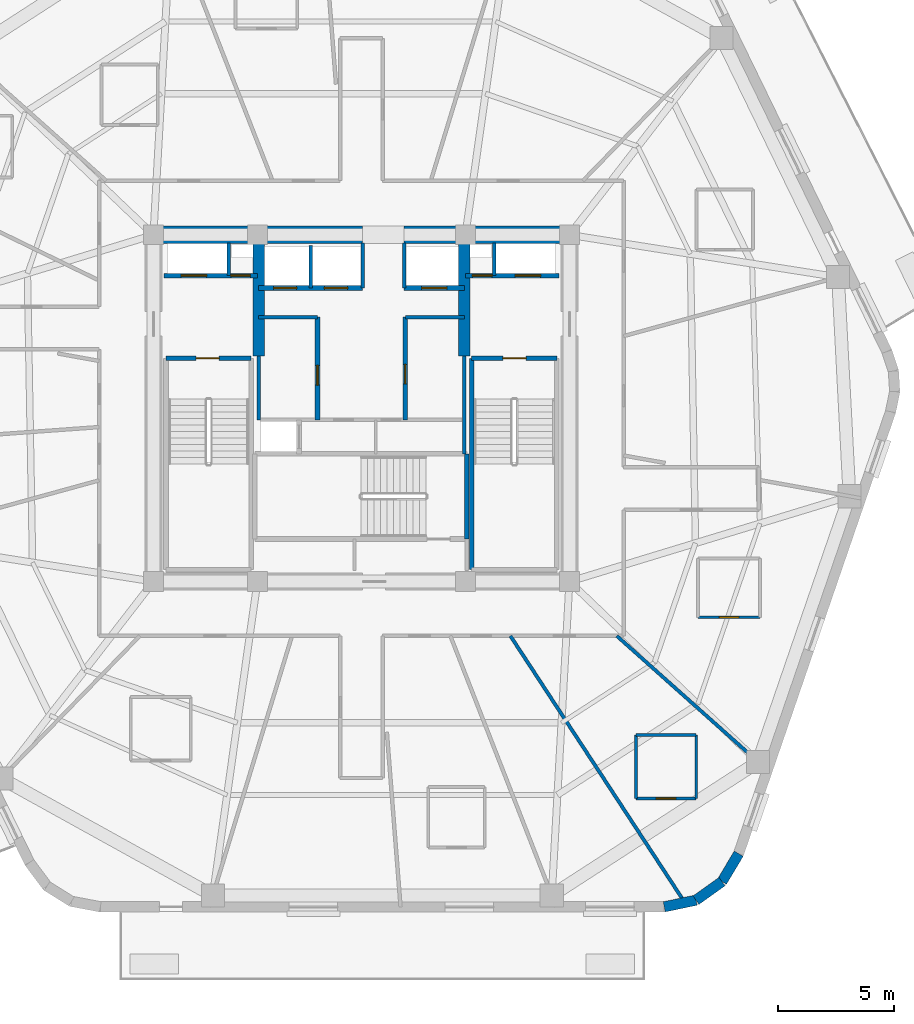
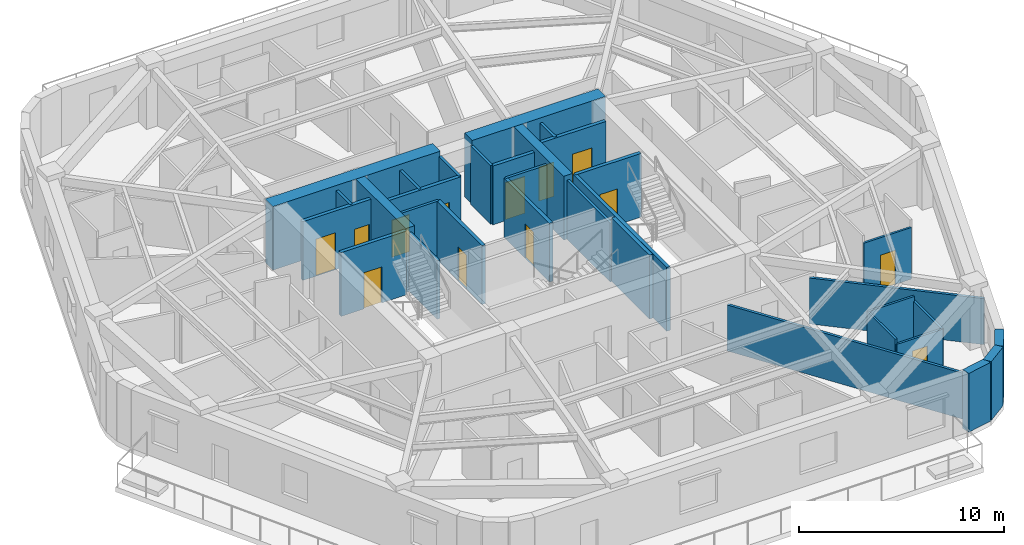
# One storey, part 4 of 10: 33 walls, 13 doors, 13 openings.
"""IFC4 building model written with IfcOpenShell, lengths in metres."""

from ifc_helpers import new_model, si_unit, direction, frame, frame_2d, origin, place, context, subcontext, project, spatial, rectangle, extrude, material, layer, layer_set, type_object, element, fill, save


model = new_model("IFC4")

# Units and contexts
model_context = context("Model", 3, precision=1e-05, world=origin(), true_north=direction((0.0, 1.0)))
body_context = subcontext(model_context, "Body", "Model", "MODEL_VIEW")
ifc_project = project(units=[si_unit("LENGTHUNIT", "METRE"), si_unit("AREAUNIT", "SQUARE_METRE"), si_unit("VOLUMEUNIT", "CUBIC_METRE"), si_unit("PLANEANGLEUNIT", "RADIAN"), si_unit("MASSUNIT", "GRAM", prefix="KILO")], contexts=[model_context])

# Site, building, storey
site_placement = place(None, origin())
site = spatial("IfcSite", under=ifc_project, at=site_placement, CompositionType="ELEMENT")
building_placement = place(site_placement, origin())
building = spatial("IfcBuilding", under=site, at=building_placement, Name="Kilnhurst Terrace Hotel", CompositionType="ELEMENT")
storey_placement = place(building_placement, frame((0.0, 0.0, 214.10009765625)))
storey = spatial("IfcBuildingStorey", under=building, at=storey_placement, Name="L53", CompositionType="ELEMENT", Elevation=214.10009765625)

# Walls
ifc_material_1 = material(Name="Precast concrete C40/50", Category="concrete")
ifc_layer_1 = layer(ifc_material_1, 0.449951171875, Name="Precast concrete C40/50")
ifc_layer_set_1 = layer_set([ifc_layer_1], Name="Precast concrete C40/50")
wall_type_1 = type_object("IfcWallType", Name="WL-BRK-450", PredefinedType="SOLIDWALL", material=ifc_layer_set_1)
wall_1_placement = place(storey_placement, frame((13.1015625, -21.574951171875, 0.0), z_axis=(0.0, 0.0, 1.0), x_axis=(0.978757421505, 0.205021730188, 0.0)))
element("IfcWall", 1, at=wall_1_placement, inside=storey, type_object=wall_type_1, Name="L53 Rounded Corner Brick Wall C2.1", PredefinedType="SOLIDWALL", context=body_context, shape_type="SweptSolid", body=[
    extrude(rectangle(XDim=1.40625, YDim=0.449951171875, at=frame_2d((0.703125, 0.0))), origin(), (0.0, 0.0, 1.0), 3.5),
])
wall_2_placement = place(storey_placement, frame((14.47802734375, -21.28662109375, 0.0), z_axis=(0.0, 0.0, 1.0), x_axis=(0.813888518617, 0.58102106611, 0.0)))
element("IfcWall", 2, at=wall_2_placement, inside=storey, type_object=wall_type_1, Name="L53 Rounded Corner Brick Wall C2.2", PredefinedType="SOLIDWALL", context=body_context, shape_type="SweptSolid", body=[
    extrude(rectangle(XDim=1.3828125, YDim=0.449951171875, at=frame_2d((0.69140625, 0.0))), origin(), (0.0, 0.0, 1.0), 3.5),
])
wall_3_placement = place(storey_placement, frame((15.603515625, -20.483154296875, 0.0), z_axis=(0.0, 0.0, 1.0), x_axis=(0.512222149036, 0.858852996756, 0.0)))
element("IfcWall", 3, at=wall_3_placement, inside=storey, type_object=wall_type_1, Name="L53 Rounded Corner Brick Wall C2.3", PredefinedType="SOLIDWALL", context=body_context, shape_type="SweptSolid", body=[
    extrude(rectangle(XDim=1.406494140625, YDim=0.449951171875, at=frame_2d((0.703125, 0.0))), origin(), (0.0, 0.0, 1.0), 3.5),
])
ifc_material_2 = material(Name="Concrete C60/75", Category="concrete")
ifc_layer_2 = layer(ifc_material_2, 0.75, Name="Concrete C60/75")
ifc_layer_set_2 = layer_set([ifc_layer_2], Name="Concrete C60/75")
wall_type_2 = type_object("IfcWallType", Name="WL-CORE-750", PredefinedType="SHEAR", material=ifc_layer_set_2)
wall_4_placement = place(storey_placement, frame((-9.375, 7.5, 0.0), z_axis=(0.0, 0.0, 1.0), x_axis=(1.0, 0.0, 0.0)))
element("IfcWall", 4, at=wall_4_placement, inside=storey, type_object=wall_type_2, Name="L53 Core North West Shear Wall", PredefinedType="SHEAR", context=body_context, shape_type="SweptSolid", body=[
    extrude(rectangle(XDim=9.425048828125, YDim=0.75, at=frame_2d((4.71240234375, 0.0))), origin(), (0.0, 0.0, 1.0), 3.7998046875),
])
wall_5_placement = place(storey_placement, frame((1.85009765625, 7.5, 0.0), z_axis=(0.0, 0.0, 1.0), x_axis=(1.0, 0.0, 0.0)))
element("IfcWall", 5, at=wall_5_placement, inside=storey, type_object=wall_type_2, Name="L53 Core North East Shear Wall", PredefinedType="SHEAR", context=body_context, shape_type="SweptSolid", body=[
    extrude(rectangle(XDim=7.52490234375, YDim=0.75, at=frame_2d((3.762451171875, 0.0))), origin(), (0.0, 0.0, 1.0), 3.7998046875),
])
ifc_layer_3 = layer(ifc_material_2, 0.5, Name="Concrete C60/75")
ifc_layer_set_3 = layer_set([ifc_layer_3], Name="Concrete C60/75")
wall_type_3 = type_object("IfcWallType", Name="WL-CORE-WEB-500", PredefinedType="SHEAR", material=ifc_layer_set_3)
for number, where, z_axis, x_axis, name in (
    (6, (-4.449951171875, 2.25, 0.0), (0.0, 0.0, 1.0), (0.0, 1.0, 0.0), "L53 Core Internal West Shear Web"),
    (7, (4.449951171875, 2.25, 0.0), (0.0, 0.0, 1.0), (0.0, 1.0, 0.0), "L53 Core Internal East Shear Web"),
):
    element("IfcWall", number, at=place(storey_placement, frame(where, z_axis=z_axis, x_axis=x_axis)), inside=storey, type_object=wall_type_3, Name=name, PredefinedType="SHEAR", context=body_context, shape_type="SweptSolid", body=[
        extrude(rectangle(XDim=4.875, YDim=0.5, at=frame_2d((2.4375, 0.0))), origin(), (0.0, 0.0, 1.0), 3.7998046875),
    ])
ifc_material_3 = material(Name="STC-58 Acoustic Twin-Frame Guestroom Demising Partition")
ifc_layer_4 = layer(ifc_material_3, 0.14990234375, Name="STC-58 Acoustic Twin-Frame Guestroom Demising Partition")
ifc_layer_set_4 = layer_set([ifc_layer_4], Name="STC-58 Acoustic Twin-Frame Guestroom Demising Partition")
wall_type_4 = type_object("IfcWallType", Name="WL-DEM-150", PredefinedType="PARTITIONING", material=ifc_layer_set_4)
wall_6_placement = place(storey_placement, frame((6.4443359375, -9.85009765625, 0.0), z_axis=(0.0, 0.0, 1.0), x_axis=(0.547492333129, -0.836810698525, 0.0)))
element("IfcWall", 8, at=wall_6_placement, inside=storey, type_object=wall_type_4, Name="L53 Interior Wall WL-L53-DEM-MID10-15-1", PredefinedType="PARTITIONING", context=body_context, shape_type="SweptSolid", body=[
    extrude(rectangle(XDim=13.6162109375, YDim=0.14990234375, at=frame_2d((6.80810546875, 0.0))), origin(), (0.0, 0.0, 1.0), 2.739990234375),
])
wall_7_placement = place(storey_placement, frame((11.04833984375, -9.85009765625, 0.0), z_axis=(0.0, 0.0, 1.0), x_axis=(0.746444434655, -0.665447748492, 0.0)))
element("IfcWall", 9, at=wall_7_placement, inside=storey, type_object=wall_type_4, Name="L53 Interior Wall WL-L53-DEM-COL11-16-1", PredefinedType="PARTITIONING", context=body_context, shape_type="SweptSolid", body=[
    extrude(rectangle(XDim=8.732177734375, YDim=0.14990234375, at=frame_2d((4.3662109375, 0.0))), origin(), (0.0, 0.0, 1.0), 2.739990234375),
])

# Wall, opening, door
ifc_material_4 = material(Name="120 mm Moisture-Resistant Tile-Backed Bathroom Partition")
ifc_layer_5 = layer(ifc_material_4, 0.1201171875, Name="120 mm Moisture-Resistant Tile-Backed Bathroom Partition")
ifc_layer_set_5 = layer_set([ifc_layer_5], Name="120 mm Moisture-Resistant Tile-Backed Bathroom Partition")
wall_type_5 = type_object("IfcWallType", Name="WL-PART-120", PredefinedType="PARTITIONING", material=ifc_layer_set_5)
wall_8_placement = place(storey_placement, frame((11.884033203125, -16.889892578125, 0.0), z_axis=(0.0, 0.0, 1.0), x_axis=(1.0, 0.0, 0.0)))
wall_8 = element("IfcWall", 10, at=wall_8_placement, inside=storey, type_object=wall_type_5, Name="L53 Interior Wall WL-L53-BTH-15-1", PredefinedType="PARTITIONING", context=body_context, shape_type="SweptSolid", body=[
    extrude(rectangle(XDim=2.599853515625, YDim=0.1201171875, at=frame_2d((1.2998046875, 0.0))), origin(), (0.0, 0.0, 1.0), 2.739990234375),
])
opening_1_placement = place(wall_8_placement, frame((0.875, 0.0, 0.0)))
opening_1 = element("IfcOpeningElement", 11, at=opening_1_placement, cuts=wall_8, Name="Opening D-08A", PredefinedType="OPENING", context=body_context, shape_type="SweptSolid", body=[
    extrude(rectangle(XDim=0.85009765625, YDim=2.030029296875, at=frame_2d((0.425048828125, 1.01513671875))), frame((0.0, 0.070068359375, 0.0), z_axis=(0.0, -1.0, 0.0), x_axis=(1.0, 0.0, 0.0)), (0.0, 0.0, 1.0), 0.14013671875),
])
ifc_material_5 = material(Name="Moisture-Resistant Lacquered En-suite Bathroom Door")
door_type_1 = type_object("IfcDoorType", Name="DR-INT-850", OperationType="NOTDEFINED", PredefinedType="DOOR", material=ifc_material_5)
door_1_placement = place(opening_1_placement, origin())
door_1 = element("IfcDoor", 12, at=door_1_placement, inside=storey, type_object=door_type_1, Name="L53 En-suite Bathroom Door 15", OperationType="SINGLE_SWING_RIGHT", OverallHeight=2.030029296875, OverallWidth=0.85009765625, PredefinedType="DOOR", context=body_context, shape_type="SweptSolid", body=[
    extrude(rectangle(XDim=0.85009765625, YDim=2.030029296875, at=frame_2d((0.425048828125, 1.01513671875))), frame((0.0, 0.02490234375, 0.0), z_axis=(0.0, -1.0, 0.0), x_axis=(1.0, 0.0, 0.0)), (0.0, 0.0, 1.0), 0.050048828125),
])
fill(opening_1, door_1)

# Walls
wall_9_placement = place(storey_placement, frame((14.48388671875, -16.889892578125, 0.0), z_axis=(0.0, 0.0, 1.0), x_axis=(0.0, 1.0, 0.0)))
element("IfcWall", 13, at=wall_9_placement, inside=storey, type_object=wall_type_5, Name="L53 Interior Wall WL-L53-BTH-15-2", PredefinedType="PARTITIONING", context=body_context, shape_type="SweptSolid", body=[
    extrude(rectangle(XDim=2.75, YDim=0.1201171875, at=frame_2d((1.375, 0.0))), origin(), (0.0, 0.0, 1.0), 2.739990234375),
])
wall_10_placement = place(storey_placement, frame((14.48388671875, -14.139892578125, 0.0), z_axis=(0.0, 0.0, 1.0), x_axis=(-1.0, 0.0, 0.0)))
element("IfcWall", 14, at=wall_10_placement, inside=storey, type_object=wall_type_5, Name="L53 Interior Wall WL-L53-BTH-15-3", PredefinedType="PARTITIONING", context=body_context, shape_type="SweptSolid", body=[
    extrude(rectangle(XDim=2.599853515625, YDim=0.1201171875, at=frame_2d((1.2998046875, 0.0))), origin(), (0.0, 0.0, 1.0), 3.0263671875),
])
wall_11_placement = place(storey_placement, frame((11.884033203125, -14.139892578125, 0.0), z_axis=(0.0, 0.0, 1.0), x_axis=(0.0, -1.0, 0.0)))
element("IfcWall", 15, at=wall_11_placement, inside=storey, type_object=wall_type_5, Name="L53 Interior Wall WL-L53-BTH-15-4", PredefinedType="PARTITIONING", context=body_context, shape_type="SweptSolid", body=[
    extrude(rectangle(XDim=2.75, YDim=0.1201171875, at=frame_2d((1.375, 0.0))), origin(), (0.0, 0.0, 1.0), 3.0263671875),
])

# Wall, opening, door
wall_12_placement = place(storey_placement, frame((14.568115234375, -9.044921875, 0.0), z_axis=(0.0, 0.0, 1.0), x_axis=(1.0, 0.0, 0.0)))
wall_12 = element("IfcWall", 16, at=wall_12_placement, inside=storey, type_object=wall_type_5, Name="L53 Interior Wall WL-L53-BTH-16-1", PredefinedType="PARTITIONING", context=body_context, shape_type="SweptSolid", body=[
    extrude(rectangle(XDim=2.679931640625, YDim=0.1201171875, at=frame_2d((1.33984375, 0.0))), origin(), (0.0, 0.0, 1.0), 3.072265625),
])
opening_2_placement = place(wall_12_placement, frame((0.9150390625, 0.0, 0.0)))
opening_2 = element("IfcOpeningElement", 17, at=opening_2_placement, cuts=wall_12, Name="Opening D-08A", PredefinedType="OPENING", context=body_context, shape_type="SweptSolid", body=[
    extrude(rectangle(XDim=0.85009765625, YDim=2.030029296875, at=frame_2d((0.425048828125, 1.01513671875))), frame((0.0, 0.070068359375, 0.0), z_axis=(0.0, -1.0, 0.0), x_axis=(1.0, 0.0, 0.0)), (0.0, 0.0, 1.0), 0.14013671875),
])
door_2_placement = place(opening_2_placement, origin())
door_2 = element("IfcDoor", 18, at=door_2_placement, inside=storey, type_object=door_type_1, Name="L53 En-suite Bathroom Door 16", OperationType="SINGLE_SWING_LEFT", OverallHeight=2.030029296875, OverallWidth=0.85009765625, PredefinedType="DOOR", context=body_context, shape_type="SweptSolid", body=[
    extrude(rectangle(XDim=0.85009765625, YDim=2.030029296875, at=frame_2d((0.425048828125, 1.01513671875))), frame((0.0, 0.02490234375, 0.0), z_axis=(0.0, -1.0, 0.0), x_axis=(1.0, 0.0, 0.0)), (0.0, 0.0, 1.0), 0.050048828125),
])
fill(opening_2, door_2)

# Walls
ifc_material_6 = material(Name="Fire-Rated Gypsum Shaftliner Assembly")
ifc_layer_6 = layer(ifc_material_6, 0.14990234375, Name="Fire-Rated Gypsum Shaftliner Assembly")
ifc_layer_set_6 = layer_set([ifc_layer_6], Name="Fire-Rated Gypsum Shaftliner Assembly")
wall_type_6 = type_object("IfcWallType", Name="WL-SHAFT-150", PredefinedType="PARTITIONING", material=ifc_layer_set_6)
for number, where, z_axis, x_axis, name in (
    (19, (-5.75, 5.739990234375, 0.0), (0.0, 0.0, 1.0), (0.0, 1.0, 0.0), "L53 Interior Wall WL-L53-RIS1-DIV"),
    (20, (5.75, 5.739990234375, 0.0), (0.0, 0.0, 1.0), (0.0, 1.0, 0.0), "L53 Interior Wall WL-L53-RIS2-DIV"),
):
    element("IfcWall", number, at=place(storey_placement, frame(where, z_axis=z_axis, x_axis=x_axis)), inside=storey, type_object=wall_type_6, Name=name, PredefinedType="PARTITIONING", context=body_context, shape_type="SweptSolid", body=[
        extrude(rectangle(XDim=1.409912109375, YDim=0.14990234375, at=frame_2d((0.705078125, 0.0))), origin(), (0.0, 0.0, 1.0), 3.5),
    ])
wall_13_placement = place(storey_placement, frame((-2.199951171875, 5.199951171875, 0.0), z_axis=(0.0, 0.0, 1.0), x_axis=(0.0, 1.0, 0.0)))
element("IfcWall", 21, at=wall_13_placement, inside=storey, type_object=wall_type_6, Name="L53 Interior Wall WL-L53-HR-DIV1", PredefinedType="PARTITIONING", context=body_context, shape_type="SweptSolid", body=[
    extrude(rectangle(XDim=1.85009765625, YDim=0.14990234375, at=frame_2d((0.925048828125, 0.0))), origin(), (0.0, 0.0, 1.0), 3.5),
])
for number, where, z_axis, x_axis, name in (
    (22, (0.050048828125, 5.199951171875, 0.0), (0.0, 0.0, 1.0), (0.0, 1.0, 0.0), "L53 Interior Wall WL-L53-HR-PORTAL-W"),
    (23, (1.85009765625, 5.199951171875, 0.0), (0.0, 0.0, 1.0), (0.0, 1.0, 0.0), "L53 Interior Wall WL-L53-HR-PORTAL-E"),
):
    element("IfcWall", number, at=place(storey_placement, frame(where, z_axis=z_axis, x_axis=x_axis)), inside=storey, type_object=wall_type_6, Name=name, PredefinedType="PARTITIONING", context=body_context, shape_type="SweptSolid", body=[
        extrude(rectangle(XDim=1.949951171875, YDim=0.14990234375, at=frame_2d((0.97509765625, 0.0))), origin(), (0.0, 0.0, 1.0), 3.5),
    ])
wall_14_placement = place(storey_placement, frame((-4.449951171875, -0.5, 0.0), z_axis=(0.0, 0.0, 1.0), x_axis=(0.0, 1.0, 0.0)))
element("IfcWall", 24, at=wall_14_placement, inside=storey, type_object=wall_type_6, Name="L53 Interior Wall WL-L53-XLOB-W", PredefinedType="PARTITIONING", context=body_context, shape_type="SweptSolid", body=[
    extrude(rectangle(XDim=2.75, YDim=0.14990234375, at=frame_2d((1.375, 0.0))), origin(), (0.0, 0.0, 1.0), 3.5),
])
wall_15_placement = place(storey_placement, frame((4.449951171875, -1.971923828125, 0.0), z_axis=(0.0, 0.0, 1.0), x_axis=(0.0, 1.0, 0.0)))
element("IfcWall", 25, at=wall_15_placement, inside=storey, type_object=wall_type_6, Name="L53 Interior Wall WL-L53-XLOB-E", PredefinedType="PARTITIONING", context=body_context, shape_type="SweptSolid", body=[
    extrude(rectangle(XDim=4.221923828125, YDim=0.14990234375, at=frame_2d((2.11083984375, 0.0))), origin(), (0.0, 0.0, 1.0), 3.5),
])
for number, where, z_axis, x_axis, name in (
    (26, (-4.449951171875, 3.93994140625, 0.0), (0.0, 0.0, 1.0), (1.0, 0.0, 0.0), "L53 Interior Wall WL-L53-LR-NORTH"),
    (27, (1.89990234375, 3.93994140625, 0.0), (0.0, 0.0, 1.0), (1.0, 0.0, 0.0), "L53 Interior Wall WL-L53-MR-NORTH"),
):
    element("IfcWall", number, at=place(storey_placement, frame(where, z_axis=z_axis, x_axis=x_axis)), inside=storey, type_object=wall_type_6, Name=name, PredefinedType="PARTITIONING", context=body_context, shape_type="SweptSolid", body=[
        extrude(rectangle(XDim=2.550048828125, YDim=0.14990234375, at=frame_2d((1.27490234375, 0.0))), origin(), (0.0, 0.0, 1.0), 3.5),
    ])

# Wall, openings, doors
ifc_material_7 = material(Name="Autoclaved Aerated Concrete C30/37 and Gypsum Shaft Assembly", Category="concrete")
ifc_layer_7 = layer(ifc_material_7, 0.199951171875, Name="Autoclaved Aerated Concrete C30/37 and Gypsum Shaft Assembly")
ifc_layer_set_7 = layer_set([ifc_layer_7], Name="Autoclaved Aerated Concrete C30/37 and Gypsum Shaft Assembly")
wall_type_7 = type_object("IfcWallType", Name="WL-SHAFT-200", PredefinedType="PARTITIONING", material=ifc_layer_set_7)
wall_16_placement = place(storey_placement, frame((-8.550048828125, 5.739990234375, 0.0), z_axis=(0.0, 0.0, 1.0), x_axis=(1.0, 0.0, 0.0)))
wall_16 = element("IfcWall", 28, at=wall_16_placement, inside=storey, type_object=wall_type_7, Name="L53 Interior Wall WL-L53-FSAE1-S", PredefinedType="PARTITIONING", context=body_context, shape_type="SweptSolid", body=[
    extrude(rectangle(XDim=4.050048828125, YDim=0.199951171875, at=frame_2d((2.02490234375, 0.0))), origin(), (0.0, 0.0, 1.0), 3.5),
])
opening_3_placement = place(wall_16_placement, frame((0.75, 0.0, 0.0)))
opening_3 = element("IfcOpeningElement", 29, at=opening_3_placement, cuts=wall_16, Name="Opening LD-F1", PredefinedType="OPENING", context=body_context, shape_type="SweptSolid", body=[
    extrude(rectangle(XDim=1.10009765625, YDim=2.199951171875, at=frame_2d((0.550048828125, 1.10009765625))), frame((0.0, 0.10986328125, 0.0), z_axis=(0.0, -1.0, 0.0), x_axis=(1.0, 0.0, 0.0)), (0.0, 0.0, 1.0), 0.219970703125),
])
opening_4_placement = place(wall_16_placement, frame((2.89990234375, 0.0, 0.0)))
opening_4 = element("IfcOpeningElement", 30, at=opening_4_placement, cuts=wall_16, Name="Opening D-60D", PredefinedType="OPENING", context=body_context, shape_type="SweptSolid", body=[
    extrude(rectangle(XDim=0.85009765625, YDim=2.030029296875, at=frame_2d((0.425048828125, 1.01513671875))), frame((0.0, 0.10986328125, 0.0), z_axis=(0.0, -1.0, 0.0), x_axis=(1.0, 0.0, 0.0)), (0.0, 0.0, 1.0), 0.219970703125),
])
ifc_material_8 = material(Name="Painted Hollow Metal Steel ASTM A36 Riser Door", Category="steel")
door_type_2 = type_object("IfcDoorType", Name="DR-FD60-850", OperationType="NOTDEFINED", PredefinedType="DOOR", material=ifc_material_8)
door_3_placement = place(opening_4_placement, origin())
door_3 = element("IfcDoor", 31, at=door_3_placement, inside=storey, type_object=door_type_2, Name="L53 Electrical Riser Door", OperationType="SINGLE_SWING_LEFT", OverallHeight=2.030029296875, OverallWidth=0.85009765625, PredefinedType="DOOR", context=body_context, shape_type="SweptSolid", body=[
    extrude(rectangle(XDim=0.85009765625, YDim=2.030029296875, at=frame_2d((0.425048828125, 1.01513671875))), frame((0.0, 0.02490234375, 0.0), z_axis=(0.0, -1.0, 0.0), x_axis=(1.0, 0.0, 0.0)), (0.0, 0.0, 1.0), 0.050048828125),
])
fill(opening_4, door_3)
ifc_material_9 = material(Name="Bronze-Anodized Stainless Steel AISI 316L Sliding Door", Category="steel")
door_type_3 = type_object("IfcDoorType", Name="DR-LIFT-1100", OperationType="NOTDEFINED", PredefinedType="DOOR", material=ifc_material_9)
door_4_placement = place(opening_3_placement, origin())
door_4 = element("IfcDoor", 32, at=door_4_placement, inside=storey, type_object=door_type_3, Name="L53 FSAE-1 Landing Door", OperationType="SLIDING_TO_LEFT", OverallHeight=2.199951171875, OverallWidth=1.10009765625, PredefinedType="DOOR", context=body_context, shape_type="SweptSolid", body=[
    extrude(rectangle(XDim=1.10009765625, YDim=2.199951171875, at=frame_2d((0.550048828125, 1.10009765625))), frame((0.0, 0.02490234375, 0.0), z_axis=(0.0, -1.0, 0.0), x_axis=(1.0, 0.0, 0.0)), (0.0, 0.0, 1.0), 0.050048828125),
])
fill(opening_3, door_4)

wall_17_placement = place(storey_placement, frame((4.5, 5.739990234375, 0.0), z_axis=(0.0, 0.0, 1.0), x_axis=(1.0, 0.0, 0.0)))
wall_17 = element("IfcWall", 33, at=wall_17_placement, inside=storey, type_object=wall_type_7, Name="L53 Interior Wall WL-L53-FSAE2-S", PredefinedType="PARTITIONING", context=body_context, shape_type="SweptSolid", body=[
    extrude(rectangle(XDim=4.050048828125, YDim=0.199951171875, at=frame_2d((2.02490234375, 0.0))), origin(), (0.0, 0.0, 1.0), 3.5),
])
opening_5_placement = place(wall_17_placement, frame((0.300048828125, 0.0, 0.0)))
opening_5 = element("IfcOpeningElement", 34, at=opening_5_placement, cuts=wall_17, Name="Opening D-60D", PredefinedType="OPENING", context=body_context, shape_type="SweptSolid", body=[
    extrude(rectangle(XDim=0.85009765625, YDim=2.030029296875, at=frame_2d((0.425048828125, 1.01513671875))), frame((0.0, 0.10986328125, 0.0), z_axis=(0.0, -1.0, 0.0), x_axis=(1.0, 0.0, 0.0)), (0.0, 0.0, 1.0), 0.219970703125),
])
opening_6_placement = place(wall_17_placement, frame((2.14990234375, 0.0, 0.0)))
opening_6 = element("IfcOpeningElement", 35, at=opening_6_placement, cuts=wall_17, Name="Opening LD-F2", PredefinedType="OPENING", context=body_context, shape_type="SweptSolid", body=[
    extrude(rectangle(XDim=1.10009765625, YDim=2.199951171875, at=frame_2d((0.550048828125, 1.10009765625))), frame((0.0, 0.10986328125, 0.0), z_axis=(0.0, -1.0, 0.0), x_axis=(1.0, 0.0, 0.0)), (0.0, 0.0, 1.0), 0.219970703125),
])
door_5_placement = place(opening_5_placement, origin())
door_5 = element("IfcDoor", 36, at=door_5_placement, inside=storey, type_object=door_type_2, Name="L53 Telecom Riser Door", OperationType="SINGLE_SWING_RIGHT", OverallHeight=2.030029296875, OverallWidth=0.85009765625, PredefinedType="DOOR", context=body_context, shape_type="SweptSolid", body=[
    extrude(rectangle(XDim=0.85009765625, YDim=2.030029296875, at=frame_2d((0.425048828125, 1.01513671875))), frame((0.0, 0.02490234375, 0.0), z_axis=(0.0, -1.0, 0.0), x_axis=(1.0, 0.0, 0.0)), (0.0, 0.0, 1.0), 0.050048828125),
])
fill(opening_5, door_5)
door_6_placement = place(opening_6_placement, origin())
door_6 = element("IfcDoor", 37, at=door_6_placement, inside=storey, type_object=door_type_3, Name="L53 FSAE-2 Landing Door", OperationType="SLIDING_TO_RIGHT", OverallHeight=2.199951171875, OverallWidth=1.10009765625, PredefinedType="DOOR", context=body_context, shape_type="SweptSolid", body=[
    extrude(rectangle(XDim=1.10009765625, YDim=2.199951171875, at=frame_2d((0.550048828125, 1.10009765625))), frame((0.0, 0.02490234375, 0.0), z_axis=(0.0, -1.0, 0.0), x_axis=(1.0, 0.0, 0.0)), (0.0, 0.0, 1.0), 0.050048828125),
])
fill(opening_6, door_6)

wall_18_placement = place(storey_placement, frame((-4.449951171875, 5.199951171875, 0.0), z_axis=(0.0, 0.0, 1.0), x_axis=(1.0, 0.0, 0.0)))
wall_18 = element("IfcWall", 38, at=wall_18_placement, inside=storey, type_object=wall_type_7, Name="L53 Interior Wall WL-L53-HR-SW", PredefinedType="PARTITIONING", context=body_context, shape_type="SweptSolid", body=[
    extrude(rectangle(XDim=4.5, YDim=0.199951171875, at=frame_2d((2.25, 0.0))), origin(), (0.0, 0.0, 1.0), 3.5),
])
opening_7_placement = place(wall_18_placement, frame((0.64990234375, 0.0, 0.0)))
opening_7 = element("IfcOpeningElement", 39, at=opening_7_placement, cuts=wall_18, Name="Opening LD-HR", PredefinedType="OPENING", context=body_context, shape_type="SweptSolid", body=[
    extrude(rectangle(XDim=1.0, YDim=2.199951171875, at=frame_2d((0.5, 1.10009765625))), frame((0.0, 0.10986328125, 0.0), z_axis=(0.0, -1.0, 0.0), x_axis=(1.0, 0.0, 0.0)), (0.0, 0.0, 1.0), 0.219970703125),
])
opening_8_placement = place(wall_18_placement, frame((2.85009765625, 0.0, 0.0)))
opening_8 = element("IfcOpeningElement", 40, at=opening_8_placement, cuts=wall_18, Name="Opening LD-HS", PredefinedType="OPENING", context=body_context, shape_type="SweptSolid", body=[
    extrude(rectangle(XDim=1.0, YDim=2.199951171875, at=frame_2d((0.5, 1.10009765625))), frame((0.0, 0.10986328125, 0.0), z_axis=(0.0, -1.0, 0.0), x_axis=(1.0, 0.0, 0.0)), (0.0, 0.0, 1.0), 0.219970703125),
])
door_type_4 = type_object("IfcDoorType", Name="DR-LIFT-1000", OperationType="NOTDEFINED", PredefinedType="DOOR", material=ifc_material_9)
door_7_placement = place(opening_7_placement, origin())
door_7 = element("IfcDoor", 41, at=door_7_placement, inside=storey, type_object=door_type_4, Name="L53 High Rise Lift HR-1 Landing Door", OperationType="SLIDING_TO_LEFT", OverallHeight=2.199951171875, OverallWidth=1.0, PredefinedType="DOOR", context=body_context, shape_type="SweptSolid", body=[
    extrude(rectangle(XDim=1.0, YDim=2.199951171875, at=frame_2d((0.5, 1.10009765625))), frame((0.0, 0.02490234375, 0.0), z_axis=(0.0, -1.0, 0.0), x_axis=(1.0, 0.0, 0.0)), (0.0, 0.0, 1.0), 0.050048828125),
])
fill(opening_7, door_7)
door_8_placement = place(opening_8_placement, origin())
door_8 = element("IfcDoor", 42, at=door_8_placement, inside=storey, type_object=door_type_4, Name="L53 High Rise Lift HR-3 Landing Door", OperationType="SLIDING_TO_RIGHT", OverallHeight=2.199951171875, OverallWidth=1.0, PredefinedType="DOOR", context=body_context, shape_type="SweptSolid", body=[
    extrude(rectangle(XDim=1.0, YDim=2.199951171875, at=frame_2d((0.5, 1.10009765625))), frame((0.0, 0.02490234375, 0.0), z_axis=(0.0, -1.0, 0.0), x_axis=(1.0, 0.0, 0.0)), (0.0, 0.0, 1.0), 0.050048828125),
])
fill(opening_8, door_8)

# Wall, opening, door
wall_19_placement = place(storey_placement, frame((1.85009765625, 5.199951171875, 0.0), z_axis=(0.0, 0.0, 1.0), x_axis=(1.0, 0.0, 0.0)))
wall_19 = element("IfcWall", 43, at=wall_19_placement, inside=storey, type_object=wall_type_7, Name="L53 Interior Wall WL-L53-HR-SE", PredefinedType="PARTITIONING", context=body_context, shape_type="SweptSolid", body=[
    extrude(rectangle(XDim=2.599853515625, YDim=0.199951171875, at=frame_2d((1.2998046875, 0.0))), origin(), (0.0, 0.0, 1.0), 3.5),
])
opening_9_placement = place(wall_19_placement, frame((0.75, 0.0, 0.0)))
opening_9 = element("IfcOpeningElement", 44, at=opening_9_placement, cuts=wall_19, Name="Opening LD-H2", PredefinedType="OPENING", context=body_context, shape_type="SweptSolid", body=[
    extrude(rectangle(XDim=1.10009765625, YDim=2.199951171875, at=frame_2d((0.550048828125, 1.10009765625))), frame((0.0, 0.10986328125, 0.0), z_axis=(0.0, -1.0, 0.0), x_axis=(1.0, 0.0, 0.0)), (0.0, 0.0, 1.0), 0.219970703125),
])
door_9_placement = place(opening_9_placement, origin())
door_9 = element("IfcDoor", 45, at=door_9_placement, inside=storey, type_object=door_type_3, Name="L53 High Rise Lift HR-2 Landing Door", OperationType="SLIDING_TO_RIGHT", OverallHeight=2.199951171875, OverallWidth=1.10009765625, PredefinedType="DOOR", context=body_context, shape_type="SweptSolid", body=[
    extrude(rectangle(XDim=1.10009765625, YDim=2.199951171875, at=frame_2d((0.550048828125, 1.10009765625))), frame((0.0, 0.02490234375, 0.0), z_axis=(0.0, -1.0, 0.0), x_axis=(1.0, 0.0, 0.0)), (0.0, 0.0, 1.0), 0.050048828125),
])
fill(opening_9, door_9)

wall_20_placement = place(storey_placement, frame((-1.89990234375, -0.5, 0.0), z_axis=(0.0, 0.0, 1.0), x_axis=(0.0, 1.0, 0.0)))
wall_20 = element("IfcWall", 46, at=wall_20_placement, inside=storey, type_object=wall_type_7, Name="L53 Interior Wall WL-L53-LR-FRONT", PredefinedType="PARTITIONING", context=body_context, shape_type="SweptSolid", body=[
    extrude(rectangle(XDim=4.43994140625, YDim=0.199951171875, at=frame_2d((2.219970703125, 0.0))), origin(), (0.0, 0.0, 1.0), 3.5),
])
opening_10_placement = place(wall_20_placement, frame((1.5, 0.0, 0.0)))
opening_10 = element("IfcOpeningElement", 47, at=opening_10_placement, cuts=wall_20, Name="Opening D-60D", PredefinedType="OPENING", context=body_context, shape_type="SweptSolid", body=[
    extrude(rectangle(XDim=0.85009765625, YDim=2.030029296875, at=frame_2d((0.425048828125, 1.01513671875))), frame((0.0, 0.10986328125, 0.0), z_axis=(0.0, -1.0, 0.0), x_axis=(1.0, 0.0, 0.0)), (0.0, 0.0, 1.0), 0.219970703125),
])
door_10_placement = place(opening_10_placement, origin())
door_10 = element("IfcDoor", 48, at=door_10_placement, inside=storey, type_object=door_type_2, Name="L53 Reclaimed Linen Room Door", OperationType="SINGLE_SWING_LEFT", OverallHeight=2.030029296875, OverallWidth=0.85009765625, PredefinedType="DOOR", context=body_context, shape_type="SweptSolid", body=[
    extrude(rectangle(XDim=0.85009765625, YDim=2.030029296875, at=frame_2d((0.425048828125, 1.01513671875))), frame((0.0, 0.02490234375, 0.0), z_axis=(0.0, -1.0, 0.0), x_axis=(1.0, 0.0, 0.0)), (0.0, 0.0, 1.0), 0.050048828125),
])
fill(opening_10, door_10)

wall_21_placement = place(storey_placement, frame((1.89990234375, -0.5, 0.0), z_axis=(0.0, 0.0, 1.0), x_axis=(0.0, 1.0, 0.0)))
wall_21 = element("IfcWall", 49, at=wall_21_placement, inside=storey, type_object=wall_type_7, Name="L53 Interior Wall WL-L53-MR-FRONT", PredefinedType="PARTITIONING", context=body_context, shape_type="SweptSolid", body=[
    extrude(rectangle(XDim=4.43994140625, YDim=0.199951171875, at=frame_2d((2.219970703125, 0.0))), origin(), (0.0, 0.0, 1.0), 3.5),
])
opening_11_placement = place(wall_21_placement, frame((1.550048828125, 0.0, 0.0)))
opening_11 = element("IfcOpeningElement", 50, at=opening_11_placement, cuts=wall_21, Name="Opening D-60D", PredefinedType="OPENING", context=body_context, shape_type="SweptSolid", body=[
    extrude(rectangle(XDim=0.85009765625, YDim=2.030029296875, at=frame_2d((0.425048828125, 1.01513671875))), frame((0.0, 0.10986328125, 0.0), z_axis=(0.0, -1.0, 0.0), x_axis=(1.0, 0.0, 0.0)), (0.0, 0.0, 1.0), 0.219970703125),
])
door_11_placement = place(opening_11_placement, origin())
door_11 = element("IfcDoor", 51, at=door_11_placement, inside=storey, type_object=door_type_2, Name="L53 Staff Accessible Restroom Door", OperationType="SINGLE_SWING_RIGHT", OverallHeight=2.030029296875, OverallWidth=0.85009765625, PredefinedType="DOOR", context=body_context, shape_type="SweptSolid", body=[
    extrude(rectangle(XDim=0.85009765625, YDim=2.030029296875, at=frame_2d((0.425048828125, 1.01513671875))), frame((0.0, 0.02490234375, 0.0), z_axis=(0.0, -1.0, 0.0), x_axis=(1.0, 0.0, 0.0)), (0.0, 0.0, 1.0), 0.050048828125),
])
fill(opening_11, door_11)

ifc_material_10 = material(Name="Concrete C50/60", Category="concrete")
ifc_layer_8 = layer(ifc_material_10, 0.199951171875, Name="Concrete C50/60")
ifc_layer_set_8 = layer_set([ifc_layer_8], Name="Concrete C50/60")
wall_type_8 = type_object("IfcWallType", Name="WL-STAIR-RC-200", PredefinedType="SHEAR", material=ifc_layer_set_8)
wall_22_placement = place(storey_placement, frame((-8.4580078125, 2.157958984375, 0.0), z_axis=(0.0, 0.0, 1.0), x_axis=(1.0, 0.0, 0.0)))
wall_22 = element("IfcWall", 52, at=wall_22_placement, inside=storey, type_object=wall_type_8, Name="L53 Structural Stair Shaft Wall WL-L53-ST1-N", PredefinedType="SHEAR", context=body_context, shape_type="SweptSolid", body=[
    extrude(rectangle(XDim=3.68603515625, YDim=0.199951171875, at=frame_2d((1.843017578125, 0.0))), origin(), (0.0, 0.0, 1.0), 3.7998046875),
])
opening_12_placement = place(wall_22_placement, frame((1.300048828125, 0.0, 0.0)))
opening_12 = element("IfcOpeningElement", 53, at=opening_12_placement, cuts=wall_22, Name="Opening D-90B", PredefinedType="OPENING", context=body_context, shape_type="SweptSolid", body=[
    extrude(rectangle(XDim=1.0, YDim=2.14990234375, at=frame_2d((0.5, 1.074951171875))), frame((0.0, 0.10986328125, 0.0), z_axis=(0.0, -1.0, 0.0), x_axis=(1.0, 0.0, 0.0)), (0.0, 0.0, 1.0), 0.219970703125),
])
ifc_material_11 = material(Name="Painted Hollow Metal Steel ASTM A36 Fire Door", Category="steel")
door_type_5 = type_object("IfcDoorType", Name="DR-FD90-1000", OperationType="NOTDEFINED", PredefinedType="DOOR", material=ifc_material_11)
door_12_placement = place(opening_12_placement, origin())
door_12 = element("IfcDoor", 54, at=door_12_placement, inside=storey, type_object=door_type_5, Name="L53 Stair ST-1 Door", OperationType="SINGLE_SWING_LEFT", OverallHeight=2.14990234375, OverallWidth=1.0, PredefinedType="DOOR", context=body_context, shape_type="SweptSolid", body=[
    extrude(rectangle(XDim=1.0, YDim=2.14990234375, at=frame_2d((0.5, 1.074951171875))), frame((0.0, 0.02490234375, 0.0), z_axis=(0.0, -1.0, 0.0), x_axis=(1.0, 0.0, 0.0)), (0.0, 0.0, 1.0), 0.050048828125),
])
fill(opening_12, door_12)

# Wall
wall_23_placement = place(storey_placement, frame((4.77197265625, -6.985107421875, 0.0), z_axis=(0.0, 0.0, 1.0), x_axis=(0.0, 1.0, 0.0)))
element("IfcWall", 55, at=wall_23_placement, inside=storey, type_object=wall_type_8, Name="L53 Structural Stair Shaft Wall WL-L53-ST2-W", PredefinedType="SHEAR", context=body_context, shape_type="SweptSolid", body=[
    extrude(rectangle(XDim=9.14306640625, YDim=0.199951171875, at=frame_2d((4.571533203125, 0.0))), origin(), (0.0, 0.0, 1.0), 3.7998046875),
])

# Wall, opening, door
wall_24_placement = place(storey_placement, frame((4.77197265625, 2.157958984375, 0.0), z_axis=(0.0, 0.0, 1.0), x_axis=(1.0, 0.0, 0.0)))
wall_24 = element("IfcWall", 56, at=wall_24_placement, inside=storey, type_object=wall_type_8, Name="L53 Structural Stair Shaft Wall WL-L53-ST2-N", PredefinedType="SHEAR", context=body_context, shape_type="SweptSolid", body=[
    extrude(rectangle(XDim=3.68603515625, YDim=0.199951171875, at=frame_2d((1.843017578125, 0.0))), origin(), (0.0, 0.0, 1.0), 3.7998046875),
])
opening_13_placement = place(wall_24_placement, frame((1.35009765625, 0.0, 0.0)))
opening_13 = element("IfcOpeningElement", 57, at=opening_13_placement, cuts=wall_24, Name="Opening D-90B", PredefinedType="OPENING", context=body_context, shape_type="SweptSolid", body=[
    extrude(rectangle(XDim=1.0, YDim=2.14990234375, at=frame_2d((0.5, 1.074951171875))), frame((0.0, 0.10986328125, 0.0), z_axis=(0.0, -1.0, 0.0), x_axis=(1.0, 0.0, 0.0)), (0.0, 0.0, 1.0), 0.219970703125),
])
door_13_placement = place(opening_13_placement, origin())
door_13 = element("IfcDoor", 58, at=door_13_placement, inside=storey, type_object=door_type_5, Name="L53 Stair ST-2 Door", OperationType="SINGLE_SWING_RIGHT", OverallHeight=2.14990234375, OverallWidth=1.0, PredefinedType="DOOR", context=body_context, shape_type="SweptSolid", body=[
    extrude(rectangle(XDim=1.0, YDim=2.14990234375, at=frame_2d((0.5, 1.074951171875))), frame((0.0, 0.02490234375, 0.0), z_axis=(0.0, -1.0, 0.0), x_axis=(1.0, 0.0, 0.0)), (0.0, 0.0, 1.0), 0.050048828125),
])
fill(opening_13, door_13)

# Wall
wall_25_placement = place(storey_placement, frame((4.55810546875, -5.657958984375, 0.0), z_axis=(0.0, 0.0, 1.0), x_axis=(0.0, 1.0, 0.0)))
element("IfcWall", 59, at=wall_25_placement, inside=storey, type_object=wall_type_8, Name="L53 Structural Stair Shaft Wall WL-L53-ST3-E", PredefinedType="SHEAR", context=body_context, shape_type="SweptSolid", body=[
    extrude(rectangle(XDim=3.68603515625, YDim=0.199951171875, at=frame_2d((1.843017578125, 0.0))), origin(), (0.0, 0.0, 1.0), 3.7998046875),
])

save(model, "model.ifc")
